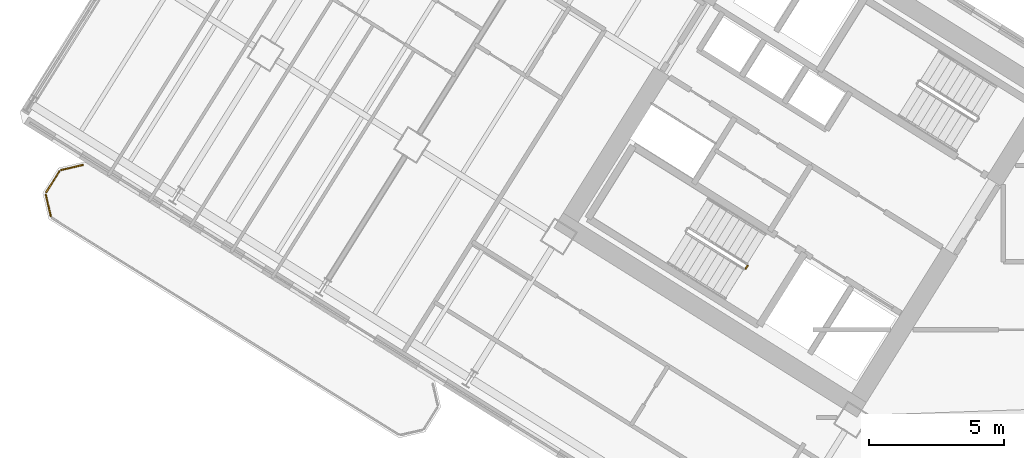
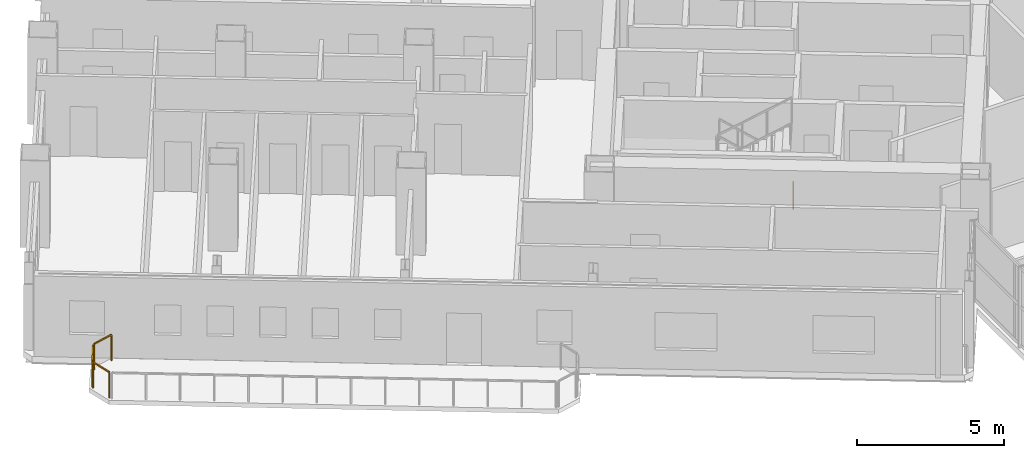
# One storey, part 22 of 28: 4 railings.
"""IFC4 building model written with IfcOpenShell, lengths in metres."""

from ifc_helpers import new_model, si_unit, direction, frame, origin, origin_2d, place, context, subcontext, project, spatial, rectangle, extrude, source, transform, mapped, material, type_object, element, save


model = new_model("IFC4")

# Units and contexts
model_context = context("Model", 3, precision=1e-05, world=origin(), true_north=direction((0.0, 1.0)))
body_context = subcontext(model_context, "Body", "Model", "MODEL_VIEW")
ifc_project = project(units=[si_unit("LENGTHUNIT", "METRE"), si_unit("AREAUNIT", "SQUARE_METRE"), si_unit("VOLUMEUNIT", "CUBIC_METRE"), si_unit("PLANEANGLEUNIT", "RADIAN"), si_unit("MASSUNIT", "GRAM", prefix="KILO")], contexts=[model_context])

# Site, building, storey
site_placement = place(None, origin())
site = spatial("IfcSite", under=ifc_project, at=site_placement, CompositionType="ELEMENT")
building_placement = place(site_placement, origin())
building = spatial("IfcBuilding", under=site, at=building_placement, Name="Tlacorven Tower", CompositionType="ELEMENT")
storey_placement = place(building_placement, frame((0.0, 0.0, 63.60009765625)))
storey = spatial("IfcBuildingStorey", under=building, at=storey_placement, Name="L16", CompositionType="ELEMENT", Elevation=63.60009765625)

# Railings
ifc_material = material(Name="Aluminium and painted steel balustrade", Category="steel")
railing_type_1 = type_object("IfcRailingType", Name="RL-BAL-1100", PredefinedType="BALUSTRADE", material=ifc_material)
shared_shape_1 = source(origin(), body_context, "Body", "SweptSolid", [
    extrude(rectangle(XDim=0.048095703125, YDim=0.048095703125, at=origin_2d()), frame((0.0, 0.0, 1.076171875), z_axis=(-0.225058334816, 0.974345290916, 0.0), x_axis=(-0.974345290916, -0.225058334816, 0.0)), (0.0, 0.0, 1.0), 0.80712890625),
    extrude(rectangle(XDim=0.0419921875, YDim=0.0419921875, at=origin_2d()), origin(), (0.0, 0.0, 1.0), 1.052001953125),
    extrude(rectangle(XDim=0.0419921875, YDim=0.0419921875, at=origin_2d()), frame((-0.181640625, 0.786376953125, 0.0)), (0.0, 0.0, 1.0), 1.052001953125),
])
railing_1_placement = place(storey_placement, frame((3.380859375, 19.62841796875, 0.0)))
element("IfcRailing", 1, at=railing_1_placement, inside=storey, type_object=railing_type_1, Name="BAL-L16-W-OUT Guard Railing 5", PredefinedType="BALUSTRADE", context=body_context, shape_type="MappedRepresentation", body=[
    mapped(shared_shape_1, transform((0.0, 0.0, 0.0), scale=1.0)),
])
shared_shape_2 = source(origin(), body_context, "Body", "SweptSolid", [
    extrude(rectangle(XDim=0.048095703125, YDim=0.048095703125, at=origin_2d()), frame((0.0, 0.0, 1.076171875), z_axis=(0.52987865805, 0.848073468364, 0.0), x_axis=(-0.848073468364, 0.52987865805, 0.0)), (0.0, 0.0, 1.0), 0.912353515625),
    extrude(rectangle(XDim=0.0419921875, YDim=0.0419921875, at=origin_2d()), origin(), (0.0, 0.0, 1.0), 1.052001953125),
    extrude(rectangle(XDim=0.0419921875, YDim=0.0419921875, at=origin_2d()), frame((0.4833984375, 0.773681640625, 0.0)), (0.0, 0.0, 1.0), 1.052001953125),
])
railing_2_placement = place(storey_placement, frame((3.214599609375, 20.505859375, 0.0)))
element("IfcRailing", 2, at=railing_2_placement, inside=storey, type_object=railing_type_1, Name="BAL-L16-W-OUT Guard Railing 6", PredefinedType="BALUSTRADE", context=body_context, shape_type="MappedRepresentation", body=[
    mapped(shared_shape_2, transform((0.0, 0.0, 0.0), scale=1.0)),
])
shared_shape_3 = source(origin(), body_context, "Body", "SweptSolid", [
    extrude(rectangle(XDim=0.048095703125, YDim=0.048095703125, at=origin_2d()), frame((0.0, 0.0, 1.076171875), z_axis=(0.974345290916, 0.225058334816, 0.0), x_axis=(-0.225058334816, 0.974345290916, 0.0)), (0.0, 0.0, 1.0), 0.80712890625),
    extrude(rectangle(XDim=0.0419921875, YDim=0.0419921875, at=origin_2d()), origin(), (0.0, 0.0, 1.0), 1.052001953125),
    extrude(rectangle(XDim=0.0419921875, YDim=0.0419921875, at=origin_2d()), frame((0.786376953125, 0.181640625, 0.0)), (0.0, 0.0, 1.0), 1.052001953125),
])
railing_3_placement = place(storey_placement, frame((3.773193359375, 21.3330078125, 0.0)))
element("IfcRailing", 3, at=railing_3_placement, inside=storey, type_object=railing_type_1, Name="BAL-L16-W-OUT Guard Railing 7", PredefinedType="BALUSTRADE", context=body_context, shape_type="MappedRepresentation", body=[
    mapped(shared_shape_3, transform((0.0, 0.0, 0.0), scale=1.0)),
])
railing_type_2 = type_object("IfcRailingType", Name="RL-GRD-1100", PredefinedType="GUARDRAIL", material=ifc_material)
shared_shape_4 = source(origin(), body_context, "Body", "SweptSolid", [
    extrude(rectangle(XDim=0.048095703125, YDim=0.048095703125, at=origin_2d()), frame((0.0, 0.0, 1.076171875), z_axis=(-0.529084052582, -0.848569422795, 0.0), x_axis=(0.848569422795, -0.529084052582, 0.0)), (0.0, 0.0, 1.0), 0.119873046875),
    extrude(rectangle(XDim=0.0419921875, YDim=0.0419921875, at=origin_2d()), origin(), (0.0, 0.0, 1.0), 1.052001953125),
    extrude(rectangle(XDim=0.0419921875, YDim=0.0419921875, at=origin_2d()), frame((-0.0634765625, -0.101806640625, 0.0)), (0.0, 0.0, 1.0), 1.052001953125),
])
railing_4_placement = place(storey_placement, frame((29.176513671875, 17.782958984375, 0.0)))
element("IfcRailing", 4, at=railing_4_placement, inside=storey, type_object=railing_type_2, Name="L16 ST-W1 stair guard 4", PredefinedType="GUARDRAIL", context=body_context, shape_type="MappedRepresentation", body=[
    mapped(shared_shape_4, transform((0.0, 0.0, 0.0), scale=1.0)),
])

save(model, "model.ifc")
